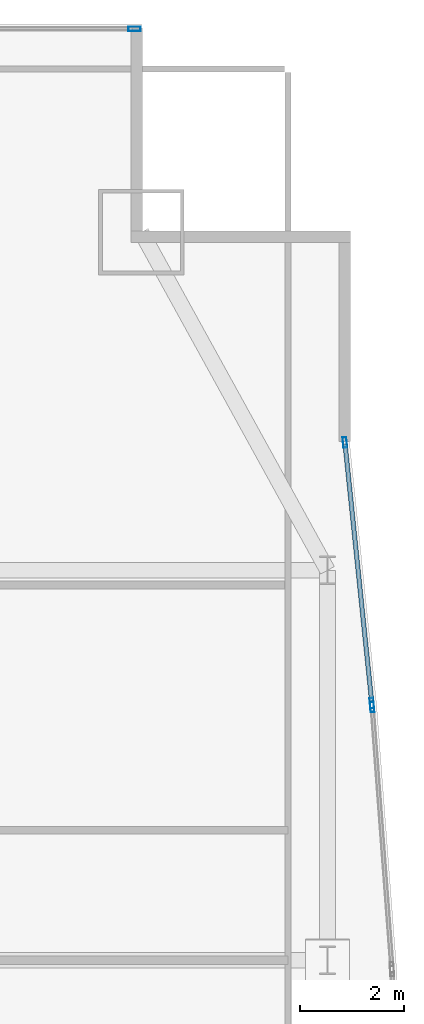
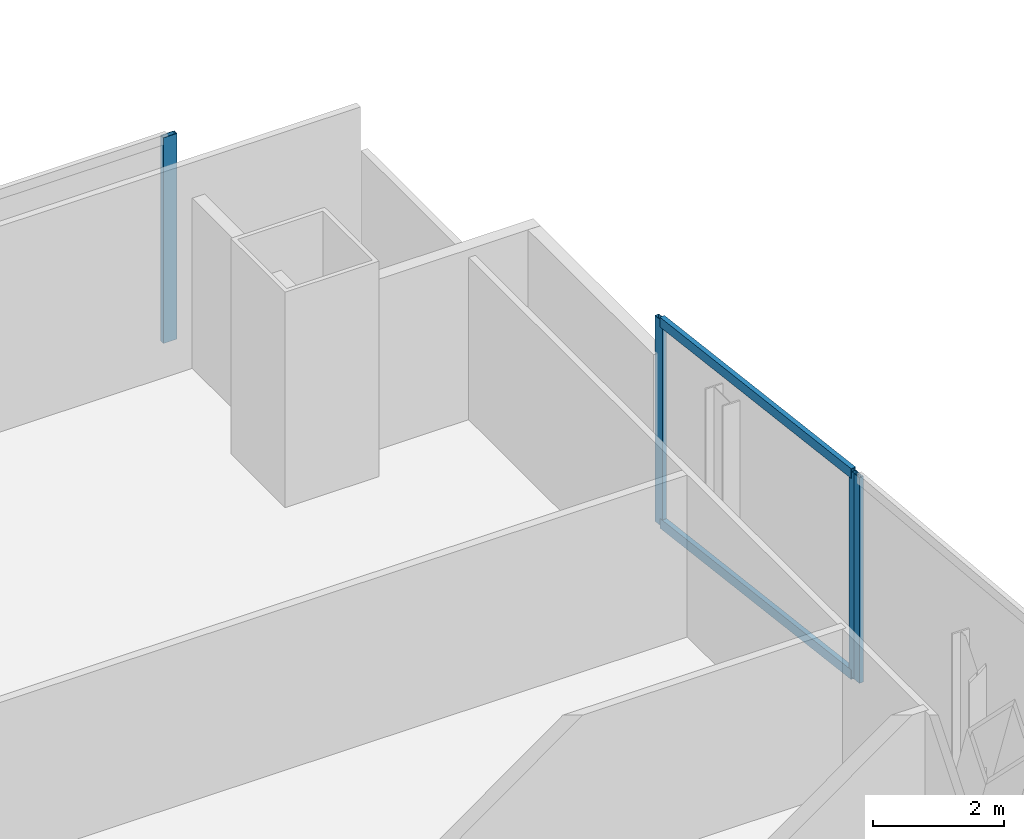
# One storey, part 25 of 35: 6 members, 3 elements without a shape of their own.
"""IFC4 building model written with IfcOpenShell, lengths in metres."""

from ifc_helpers import new_model, si_unit, direction, frame, origin, origin_2d, place, context, subcontext, project, spatial, hollow_rectangle, extrude, material, material_profile, profile_set, type_object, element, aggregate, save


model = new_model("IFC4")

# Units and contexts
model_context = context("Model", 3, precision=1e-05, world=origin(), true_north=direction((0.0, 1.0)))
body_context = subcontext(model_context, "Body", "Model", "MODEL_VIEW")
ifc_project = project(units=[si_unit("LENGTHUNIT", "METRE"), si_unit("AREAUNIT", "SQUARE_METRE"), si_unit("VOLUMEUNIT", "CUBIC_METRE"), si_unit("PLANEANGLEUNIT", "RADIAN"), si_unit("MASSUNIT", "GRAM", prefix="KILO")], contexts=[model_context])

# Site, building, storey
site_placement = place(None, origin())
site = spatial("IfcSite", under=ifc_project, at=site_placement, CompositionType="ELEMENT")
building_placement = place(site_placement, origin())
building = spatial("IfcBuilding", under=site, at=building_placement, Name="Khoronbel Lancet Exchange", CompositionType="ELEMENT")
storey_placement = place(building_placement, frame((0.0, 0.0, 25.800048828125)))
storey = spatial("IfcBuildingStorey", under=building, at=storey_placement, Name="L05", CompositionType="ELEMENT", Elevation=25.800048828125)

# Curtain wall, member
ifc_material_1 = material(Name="Low-E Solar Control Insulating Glass", Category="glass")
curtain_wall_type_1 = type_object("IfcCurtainWallType", Name="CW-1", PredefinedType="NOTDEFINED", material=ifc_material_1)
curtain_wall_1_placement = place(storey_placement, origin())
curtain_wall_1 = element("IfcCurtainWall", 1, at=curtain_wall_1_placement, inside=storey, type_object=curtain_wall_type_1, Name="Unitised curtain wall CW-L05-NEFLK", PredefinedType="NOTDEFINED")
ifc_material_2 = material(Name="Bronze-Anodised Aluminium 6063-T6", Category="aluminium")
ifc_material_profile_1 = material_profile(ifc_material_2, hollow_rectangle(XDim=0.0849609375, YDim=0.239990234375, WallThickness=0.006103515625, at=origin_2d()), Name="ALU MULLION 85x240")
ifc_profile_set_1 = profile_set([ifc_material_profile_1], Name="Bronze-Anodised Aluminium 6063-T6")
member_type_1 = type_object("IfcMemberType", Name="MEM-CWM1", PredefinedType="MULLION", material=ifc_profile_set_1)
member_1_placement = place(storey_placement, frame((67.91748046875, 53.610107421875, 0.0), z_axis=(0.0, 0.0, 1.0), x_axis=(0.0, -1.0, 0.0)))
member_1 = element("IfcMember", 2, at=member_1_placement, type_object=member_type_1, Name="CW1 mullion 1", PredefinedType="MULLION", context=body_context, shape_type="SweptSolid", body=[
    extrude(hollow_rectangle(XDim=0.0849609375, YDim=0.239990234375, WallThickness=0.006103515625, at=origin_2d()), origin(), (0.0, 0.0, 1.0), 3.820068359375),
])
aggregate(curtain_wall_1, [member_1])

# Curtain wall, members
curtain_wall_type_2 = type_object("IfcCurtainWallType", Name="CW-4", PredefinedType="NOTDEFINED", material=ifc_material_1)
curtain_wall_2_placement = place(storey_placement, origin())
curtain_wall_2 = element("IfcCurtainWall", 3, at=curtain_wall_2_placement, inside=storey, type_object=curtain_wall_type_2, Name="Unitised curtain wall CW-L05-E17", PredefinedType="NOTDEFINED")
ifc_material_profile_2 = material_profile(ifc_material_2, hollow_rectangle(XDim=0.074951171875, YDim=0.199951171875, WallThickness=0.0048828125, at=origin_2d()), Name="ALU MULLION 75x200")
ifc_profile_set_2 = profile_set([ifc_material_profile_2], Name="Bronze-Anodised Aluminium 6063-T6")
member_type_2 = type_object("IfcMemberType", Name="MEM-CWM2", PredefinedType="MULLION", material=ifc_profile_set_2)
member_2_placement = place(storey_placement, frame((71.9638671875, 45.658203125, 0.0), z_axis=(0.0, 0.0, 1.0), x_axis=(0.994709998998, 0.102723015403, 0.0)))
member_2 = element("IfcMember", 4, at=member_2_placement, type_object=member_type_2, Name="CW4 mullion 1", PredefinedType="MULLION", context=body_context, shape_type="SweptSolid", body=[
    extrude(hollow_rectangle(XDim=0.074951171875, YDim=0.199951171875, WallThickness=0.0048828125, at=origin_2d()), origin(), (0.0, 0.0, 1.0), 3.820068359375),
])
member_3_placement = place(storey_placement, frame((72.4814453125, 40.64599609375, 0.0), z_axis=(0.0, 0.0, 1.0), x_axis=(0.994709998998, 0.102723015403, 0.0)))
member_3 = element("IfcMember", 5, at=member_3_placement, type_object=member_type_2, Name="CW4 mullion 2", PredefinedType="MULLION", context=body_context, shape_type="SweptSolid", body=[
    extrude(hollow_rectangle(XDim=0.074951171875, YDim=0.199951171875, WallThickness=0.0048828125, at=origin_2d()), origin(), (0.0, 0.0, 1.0), 3.820068359375),
])

# Curtain wall, member
curtain_wall_3_placement = place(storey_placement, origin())
curtain_wall_3 = element("IfcCurtainWall", 6, at=curtain_wall_3_placement, inside=storey, type_object=curtain_wall_type_2, Name="Unitised curtain wall CW-L05-E18", PredefinedType="NOTDEFINED")
member_4_placement = place(storey_placement, frame((72.488037109375, 40.5712890625, 0.0), z_axis=(0.0, 0.0, 1.0), x_axis=(0.997153744129, 0.075395030141, 0.0)))
member_4 = element("IfcMember", 7, at=member_4_placement, type_object=member_type_2, Name="CW4 mullion 1", PredefinedType="MULLION", context=body_context, shape_type="SweptSolid", body=[
    extrude(hollow_rectangle(XDim=0.074951171875, YDim=0.199951171875, WallThickness=0.0048828125, at=origin_2d()), origin(), (0.0, 0.0, 1.0), 3.820068359375),
])
aggregate(curtain_wall_3, [member_4])

# Member
ifc_material_profile_3 = material_profile(ifc_material_2, hollow_rectangle(XDim=0.0849609375, YDim=0.179931640625, WallThickness=0.0048828125, at=origin_2d()), Name="ALU TRANSOM 85x180")
ifc_profile_set_3 = profile_set([ifc_material_profile_3], Name="Bronze-Anodised Aluminium 6063-T6")
member_type_3 = type_object("IfcMemberType", Name="MEM-CWT1", PredefinedType="USERDEFINED", material=ifc_profile_set_3)
member_5_placement = place(storey_placement, frame((71.9677734375, 45.620849609375, 0.04248046875), z_axis=(0.102697780779, -0.994712604637, 0.0), x_axis=(0.994712604637, 0.102697780779, 0.0)))
member_5 = element("IfcMember", 8, at=member_5_placement, type_object=member_type_3, Name="CW4 transom 1.1", ObjectType="TRANSOM", PredefinedType="USERDEFINED", context=body_context, shape_type="SweptSolid", body=[
    extrude(hollow_rectangle(XDim=0.0849609375, YDim=0.179931640625, WallThickness=0.0048828125, at=origin_2d()), origin(), (0.0, 0.0, 1.0), 4.9638671875),
])

member_6_placement = place(storey_placement, frame((71.9677734375, 45.620849609375, 3.77734375), z_axis=(0.102697780779, -0.994712604637, 0.0), x_axis=(0.994712604637, 0.102697780779, 0.0)))
member_6 = element("IfcMember", 9, at=member_6_placement, type_object=member_type_3, Name="CW4 transom 1.2", ObjectType="TRANSOM", PredefinedType="USERDEFINED", context=body_context, shape_type="SweptSolid", body=[
    extrude(hollow_rectangle(XDim=0.0849609375, YDim=0.179931640625, WallThickness=0.0048828125, at=origin_2d()), origin(), (0.0, 0.0, 1.0), 4.9638671875),
])

aggregate(curtain_wall_2, [member_2, member_3, member_5, member_6])

save(model, "model.ifc")
